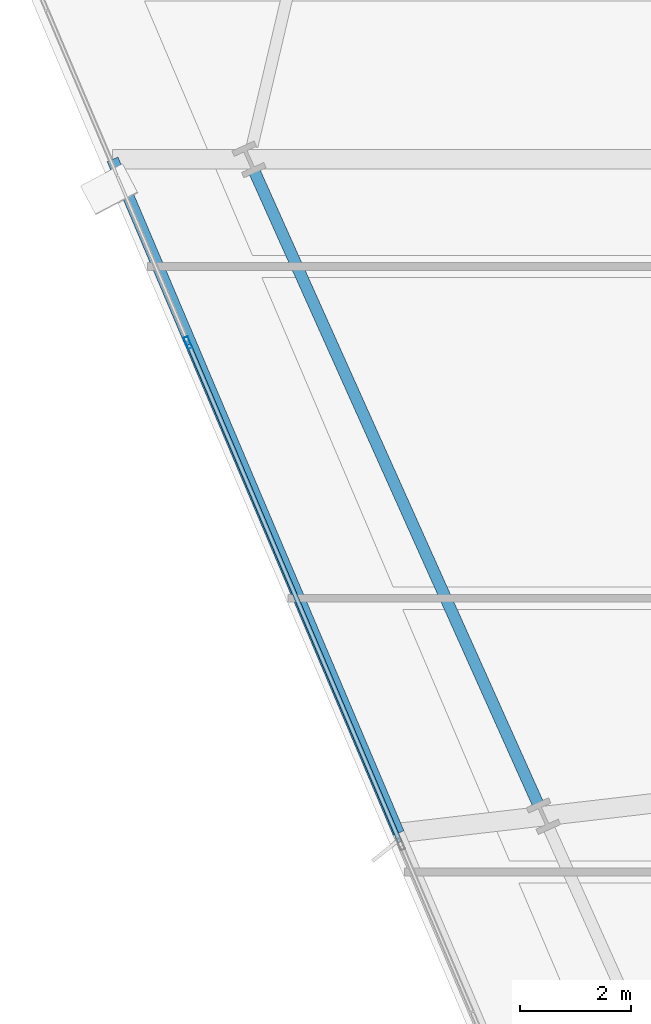
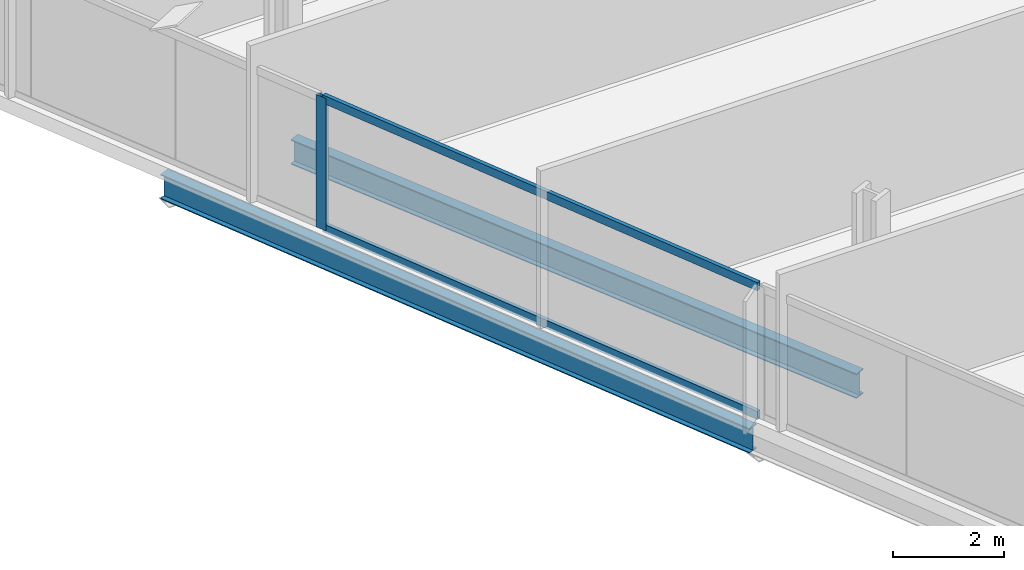
# One storey, part 6 of 34: 3 members, 2 beams, 1 element without a shape of its own.
"""IFC4 building model written with IfcOpenShell, lengths in metres."""

import ifcopenshell
import ifcopenshell.guid

model = None  # the IFC model being written
_history = None  # IfcOwnerHistory: only IFC2X3 demands one
_inside = {}  # id of a spatial element -> (the spatial element, [elements in it])
_under = {}  # id of a project, library or spatial element -> (it, [spatial elements below it])
_declared = {}  # id of a project -> (the project, [libraries it declares])
_typed = {}  # id of a type object -> (the type object, [elements of that type])
_made_of = {}  # id of a material, layer set ... -> (it, [elements and type objects made of it])


def new_model(schema):
    """Start an empty IFC model of exactly this schema.

    Asked for "IFC4X3", IfcOpenShell would pick the latest addendum, in which some entities
    have other attributes; the version numbers below select the first issue.
    IFC2X3 requires an IfcOwnerHistory on every rooted entity: one is made here for all.
    """
    global model, _history
    if schema == "IFC4X3":
        model = ifcopenshell.file(schema_version=(4, 3, 0, 0))
    else:
        model = ifcopenshell.file(schema=schema)
    _inside.clear()
    _under.clear()
    _declared.clear()
    _typed.clear()
    _made_of.clear()
    _history = None
    if model.schema == "IFC2X3":
        org = make("IfcOrganization", Name="unknown")
        user = make(
            "IfcPersonAndOrganization",
            ThePerson=make("IfcPerson", FamilyName="unknown"),
            TheOrganization=org,
        )
        app = make(
            "IfcApplication",
            ApplicationDeveloper=org,
            Version="unknown",
            ApplicationFullName="unknown",
            ApplicationIdentifier="unknown",
        )
        _history = make(
            "IfcOwnerHistory",
            OwningUser=user,
            OwningApplication=app,
            ChangeAction="ADDED",
            CreationDate=0,
        )
    return model


def make(cls, **values):
    """One entity of the class cls with the attributes given. An attribute that is None is left unset."""
    return model.create_entity(
        cls, **{name: value for name, value in values.items() if value is not None}
    )


def rooted(cls, **values):
    """An entity with a GlobalId (a new one), such as an element, a storey or a relation."""
    return make(cls, GlobalId=ifcopenshell.guid.new(), OwnerHistory=_history, **values)


def si_unit(unit_type, name, prefix=None):
    """IfcSIUnit, for example si_unit("LENGTHUNIT", "METRE", prefix="MILLI")."""
    return make("IfcSIUnit", UnitType=unit_type, Prefix=prefix, Name=name)


def assignment(units):
    """IfcUnitAssignment: the units of a project."""
    return None if units is None else make("IfcUnitAssignment", Units=units)


def point(xyz):
    """IfcCartesianPoint."""
    return None if xyz is None else make("IfcCartesianPoint", Coordinates=xyz)


def direction(xyz):
    """IfcDirection."""
    return None if xyz is None else make("IfcDirection", DirectionRatios=xyz)


def frame(location, z_axis=None, x_axis=None):
    """IfcAxis2Placement3D, a coordinate frame: its origin and axes. An axis left out is left unset."""
    return make(
        "IfcAxis2Placement3D",
        Location=point(location),
        Axis=direction(z_axis),
        RefDirection=direction(x_axis),
    )


def frame_2d(location, x_axis=None):
    """IfcAxis2Placement2D, a coordinate frame in the plane: its origin and x axis."""
    return make(
        "IfcAxis2Placement2D", Location=point(location), RefDirection=direction(x_axis)
    )


def origin():
    """The frame at (0, 0, 0) with its axes left unset."""
    return frame((0.0, 0.0, 0.0))


def origin_2d():
    """The frame at (0, 0) in the plane with its x axis left unset."""
    return frame_2d((0.0, 0.0))


def place(relative_to, where):
    """IfcLocalPlacement: puts the frame where relative to a parent placement (None: the world)."""
    return make(
        "IfcLocalPlacement", PlacementRelTo=relative_to, RelativePlacement=where
    )


def context(
    kind, dimensions, precision=None, world=None, true_north=None, identifier=None
):
    """IfcGeometricRepresentationContext, for example the 3D "Model" context."""
    return make(
        "IfcGeometricRepresentationContext",
        ContextIdentifier=identifier,
        ContextType=kind,
        CoordinateSpaceDimension=dimensions,
        Precision=precision,
        WorldCoordinateSystem=world,
        TrueNorth=true_north,
    )


def subcontext(parent, identifier, kind, view, scale=None):
    """IfcGeometricRepresentationSubContext, for example "Body" below "Model"."""
    return make(
        "IfcGeometricRepresentationSubContext",
        ContextIdentifier=identifier,
        ContextType=kind,
        ParentContext=parent,
        TargetScale=scale,
        TargetView=view,
    )


def project(units=None, contexts=None):
    """IfcProject with its units and contexts."""
    return rooted(
        "IfcProject",
        Name="project",
        RepresentationContexts=contexts,
        UnitsInContext=assignment(units),
    )


def spatial(cls, under=None, at=None, **own):
    """A site, building, storey or space (cls), placed at a placement, below another one or the project."""
    s = rooted(cls, ObjectPlacement=at, **own)
    if under is not None:
        _under.setdefault(under.id(), (under, []))[1].append(s)
    return s


def profile(cls, at=None, kind="AREA", **sizes):
    """A parametric profile (cls). Its sizes go by their IFC names, for example OverallWidth=200.0."""
    return make(cls, ProfileType=kind, Position=at, **sizes)


def hollow_rectangle(**sizes):
    """IfcRectangleHollowProfileDef."""
    return profile("IfcRectangleHollowProfileDef", **sizes)


def i_section(**sizes):
    """IfcIShapeProfileDef."""
    return profile("IfcIShapeProfileDef", **sizes)


def extrude(swept, where, along, depth):
    """IfcExtrudedAreaSolid: the profile swept, set in the frame where, extruded along a direction by depth."""
    return make(
        "IfcExtrudedAreaSolid",
        SweptArea=swept,
        Position=where,
        ExtrudedDirection=direction(along),
        Depth=depth,
    )


def shape(context_of_items, identifier, shape_type, items):
    """IfcShapeRepresentation: the items that make up one representation, for example the "Body"."""
    return make(
        "IfcShapeRepresentation",
        ContextOfItems=context_of_items,
        RepresentationIdentifier=identifier,
        RepresentationType=shape_type,
        Items=items,
    )


def material(Name=None, Category=None):
    """IfcMaterial."""
    return make("IfcMaterial", Name=Name, Category=Category)


def material_profile(
    of_material, cross_section, Name=None, Category=None, Priority=None
):
    """IfcMaterialProfile: a cross section and its material."""
    return make(
        "IfcMaterialProfile",
        Name=Name,
        Material=of_material,
        Profile=cross_section,
        Priority=Priority,
        Category=Category,
    )


def profile_set(profiles, Name=None, composite=None):
    """IfcMaterialProfileSet."""
    return make(
        "IfcMaterialProfileSet",
        Name=Name,
        MaterialProfiles=profiles,
        CompositeProfile=composite,
    )


def made_of(thing, what):
    """Note that an element or type object is made of a material, layer set ...; save() writes the relation."""
    if what is not None:
        _made_of.setdefault(what.id(), (what, []))[1].append(thing)
    return thing


def type_object(cls, material=None, **own):
    """A type object (cls), such as IfcWallType, which elements share."""
    return made_of(rooted(cls, **own), material)


def element(
    cls,
    number,
    at=None,
    inside=None,
    cuts=None,
    type_object=None,
    material=None,
    context=None,
    identifier="Body",
    shape_type=None,
    held_by="IfcProductDefinitionShape",
    body=None,
    shapes=None,
    **own,
):
    """One element of the class cls, such as IfcWall. Its Tag is "e" and its number.

    at: its placement. inside: the storey or other place that contains it. cuts: it is an
    opening in that element (IfcRelVoidsElement). A single representation is given by context,
    identifier, shape_type and body (its items); several are given by shapes. held_by: the class
    of the entity that holds the representations. save() writes the other relations.
    """
    e = rooted(cls, Tag="e%d" % number, ObjectPlacement=at, **own)
    if body is not None:
        shapes = [shape(context, identifier, shape_type, body)]
    if shapes is not None:
        e.Representation = make(held_by, Representations=shapes)
    if inside is not None:
        _inside.setdefault(inside.id(), (inside, []))[1].append(e)
    if cuts is not None:
        rooted(
            "IfcRelVoidsElement", RelatingBuildingElement=cuts, RelatedOpeningElement=e
        )
    if type_object is not None:
        _typed.setdefault(type_object.id(), (type_object, []))[1].append(e)
    return made_of(e, material)


def aggregate(whole, parts):
    """IfcRelAggregates: a whole, such as a stair, and the parts it consists of."""
    return rooted("IfcRelAggregates", RelatingObject=whole, RelatedObjects=parts)


def save(model, path):
    """Write the relations noted so far, then the file.

    IfcRelAggregates (storeys below a building ...), IfcRelContainedInSpatialStructure (elements
    in a storey), IfcRelDefinesByType, IfcRelAssociatesMaterial and IfcRelDeclares: one each for
    every whole, place, type object, material and project.
    """
    for whole, parts in _under.values():
        aggregate(whole, parts)
    for where, things in _inside.values():
        rooted(
            "IfcRelContainedInSpatialStructure",
            RelatedElements=things,
            RelatingStructure=where,
        )
    for kind, things in _typed.values():
        rooted("IfcRelDefinesByType", RelatedObjects=things, RelatingType=kind)
    for what, things in _made_of.values():
        rooted("IfcRelAssociatesMaterial", RelatedObjects=things, RelatingMaterial=what)
    for by, libraries in _declared.values():
        rooted("IfcRelDeclares", RelatingContext=by, RelatedDefinitions=libraries)
    model.write(path)


model = new_model("IFC4")

# Units and contexts
model_context = context("Model", 3, precision=1e-05, world=origin(), true_north=direction((0.0, 1.0)))
body_context = subcontext(model_context, "Body", "Model", "MODEL_VIEW")
ifc_project = project(units=[si_unit("LENGTHUNIT", "METRE"), si_unit("AREAUNIT", "SQUARE_METRE"), si_unit("VOLUMEUNIT", "CUBIC_METRE"), si_unit("PLANEANGLEUNIT", "RADIAN"), si_unit("MASSUNIT", "GRAM", prefix="KILO")], contexts=[model_context])

# Site, building, storey
site_placement = place(None, origin())
site = spatial("IfcSite", under=ifc_project, at=site_placement, CompositionType="ELEMENT")
building_placement = place(site_placement, origin())
building = spatial("IfcBuilding", under=site, at=building_placement, Name="Haldenkirk Collegiate Tower", CompositionType="ELEMENT")
storey_placement = place(building_placement, frame((0.0, 0.0, 105.449951171875)))
storey = spatial("IfcBuildingStorey", under=building, at=storey_placement, Name="L25", CompositionType="ELEMENT", Elevation=105.449951171875)

# Beams
ifc_material_1 = material(Name="Steel ASTM A992 Grade 50", Category="steel")
ifc_material_profile_1 = material_profile(ifc_material_1, i_section(OverallWidth=0.2119140625, OverallDepth=0.5439453125, WebThickness=0.01318359375, FlangeThickness=0.021240234375, at=origin_2d()), Name="W21X83")
ifc_profile_set_1 = profile_set([ifc_material_profile_1], Name="Steel ASTM A992 Grade 50")
beam_type = type_object("IfcBeamType", Name="BM-SPANDREL-W21X83", PredefinedType="SPANDREL", material=ifc_profile_set_1)
beam_1_placement = place(storey_placement, frame((9.418212890625, 28.212890625, -0.572021484375), z_axis=(0.409115233697, -0.912482726169, 0.0), x_axis=(0.912482726169, 0.409115233697, 0.0)))
element("IfcBeam", 1, at=beam_1_placement, inside=storey, type_object=beam_type, Name="L25 perimeter spandrel beam 14", PredefinedType="SPANDREL", context=body_context, shape_type="SweptSolid", body=[
    extrude(i_section(OverallWidth=0.2119140625, OverallDepth=0.5439453125, WebThickness=0.01318359375, FlangeThickness=0.021240234375, at=origin_2d()), origin(), (0.0, 0.0, 1.0), 12.524169921875),
])
beam_2_placement = place(storey_placement, frame((6.8505859375, 28.436767578125, -0.572021484375), z_axis=(0.390735091644, -0.920503171183, 0.0), x_axis=(0.920503171183, 0.390735091644, 0.0)))
element("IfcBeam", 2, at=beam_2_placement, inside=storey, type_object=beam_type, Name="L25 outer facade edge beam 4A", PredefinedType="SPANDREL", context=body_context, shape_type="SweptSolid", body=[
    extrude(i_section(OverallWidth=0.2119140625, OverallDepth=0.5439453125, WebThickness=0.01318359375, FlangeThickness=0.021240234375, at=origin_2d()), origin(), (0.0, 0.0, 1.0), 13.233154296875),
])

# Curtain wall, members
ifc_material_2 = material(Name="Anodised architectural bronze aluminium", Category="aluminium")
curtain_wall_type = type_object("IfcCurtainWallType", Name="CW-SYS1-CONVEX-LOW", PredefinedType="USERDEFINED", material=ifc_material_2)
curtain_wall_placement = place(storey_placement, origin())
curtain_wall = element("IfcCurtainWall", 3, at=curtain_wall_placement, inside=storey, type_object=curtain_wall_type, Name="L25 Lower tower convex bronze-framed unitised curtain wall", ObjectType="UNITISED CURTAIN WALL", PredefinedType="USERDEFINED")
ifc_material_profile_2 = material_profile(ifc_material_2, hollow_rectangle(XDim=0.080078125, YDim=0.219970703125, WallThickness=0.0048828125, at=origin_2d()), Name="CW-MUL-1A")
ifc_profile_set_2 = profile_set([ifc_material_profile_2], Name="Anodised architectural bronze aluminium")
member_type_1 = type_object("IfcMemberType", Name="CW-MUL-1A", PredefinedType="MULLION", material=ifc_profile_set_2)
member_1_placement = place(storey_placement, frame((8.213623046875, 25.123291015625, 0.0), z_axis=(0.0, 0.0, 1.0), x_axis=(-0.920505471827, -0.390729671687, 0.0)))
member_1 = element("IfcMember", 4, at=member_1_placement, type_object=member_type_1, Name="CW-1A mullion 4", PredefinedType="MULLION", context=body_context, shape_type="SweptSolid", body=[
    extrude(hollow_rectangle(XDim=0.080078125, YDim=0.219970703125, WallThickness=0.0048828125, at=origin_2d()), origin(), (0.0, 0.0, 1.0), 2.901123046875),
])
ifc_material_profile_3 = material_profile(ifc_material_2, hollow_rectangle(XDim=0.080078125, YDim=0.179931640625, WallThickness=0.0048828125, at=origin_2d()), Name="CW-TRN-1A")
ifc_profile_set_3 = profile_set([ifc_material_profile_3], Name="Anodised architectural bronze aluminium")
member_type_2 = type_object("IfcMemberType", Name="CW-TRN-1A", PredefinedType="USERDEFINED", material=ifc_profile_set_3)
member_2_placement = place(storey_placement, frame((12.046630859375, 16.093017578125, 0.0400390625), z_axis=(-0.390723107798, 0.920508257992, 0.0), x_axis=(-0.920508257992, -0.390723107798, 0.0)))
member_2 = element("IfcMember", 5, at=member_2_placement, type_object=member_type_2, Name="CW-1A transom 3.1", ObjectType="TRANSOM", PredefinedType="USERDEFINED", context=body_context, shape_type="SweptSolid", body=[
    extrude(hollow_rectangle(XDim=0.080078125, YDim=0.179931640625, WallThickness=0.0048828125, at=origin_2d()), origin(), (0.0, 0.0, 1.0), 9.77001953125),
])
member_3_placement = place(storey_placement, frame((12.046630859375, 16.093017578125, 2.861083984375), z_axis=(-0.390723107798, 0.920508257992, 0.0), x_axis=(-0.920508257992, -0.390723107798, 0.0)))
member_3 = element("IfcMember", 6, at=member_3_placement, type_object=member_type_2, Name="CW-1A transom 3.2", ObjectType="TRANSOM", PredefinedType="USERDEFINED", context=body_context, shape_type="SweptSolid", body=[
    extrude(hollow_rectangle(XDim=0.080078125, YDim=0.179931640625, WallThickness=0.0048828125, at=origin_2d()), origin(), (0.0, 0.0, 1.0), 9.77001953125),
])
aggregate(curtain_wall, [member_1, member_2, member_3])

save(model, "model.ifc")
